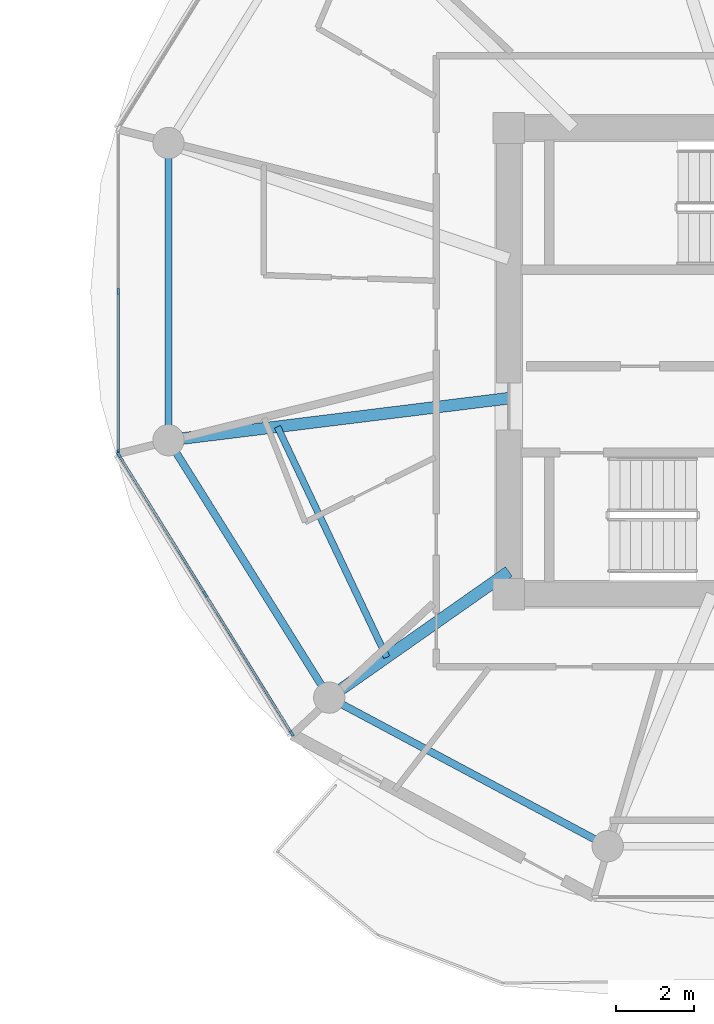
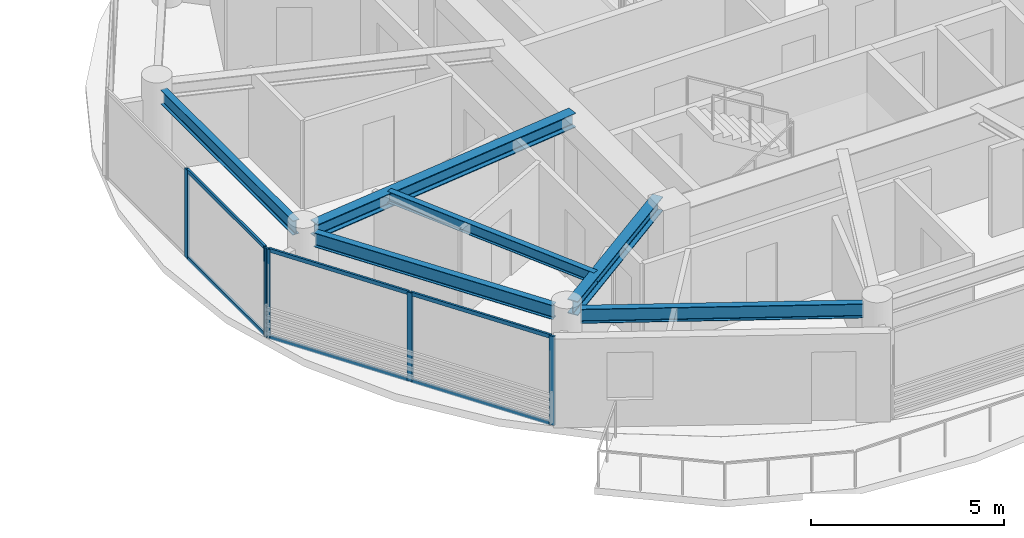
# One storey, part 6 of 24: 11 members, 6 beams, 2 elements without a shape of their own.
"""IFC4 building model written with IfcOpenShell, lengths in metres."""

from ifc_helpers import new_model, si_unit, direction, frame, origin, origin_2d, place, context, subcontext, project, spatial, rectangle, i_section, extrude, source, transform, mapped, material, layer, layer_set, material_profile, profile_set, type_object, type_shapes, element, aggregate, save


model = new_model("IFC4")

# Units and contexts
model_context = context("Model", 3, precision=1e-05, world=origin(), true_north=direction((0.0, 1.0)))
body_context = subcontext(model_context, "Body", "Model", "MODEL_VIEW")
ifc_project = project(units=[si_unit("LENGTHUNIT", "METRE"), si_unit("AREAUNIT", "SQUARE_METRE"), si_unit("VOLUMEUNIT", "CUBIC_METRE"), si_unit("PLANEANGLEUNIT", "RADIAN"), si_unit("MASSUNIT", "GRAM", prefix="KILO")], contexts=[model_context])

# Site, building, storey
site_placement = place(None, origin())
site = spatial("IfcSite", under=ifc_project, at=site_placement, CompositionType="ELEMENT")
building_placement = place(site_placement, origin())
building = spatial("IfcBuilding", under=site, at=building_placement, Name="Norrkilde Senior Care Towers", CompositionType="ELEMENT")
storey_placement = place(building_placement, frame((0.0, 0.0, 155.64990234375)))
storey = spatial("IfcBuildingStorey", under=building, at=storey_placement, Name="L48", CompositionType="ELEMENT", Elevation=155.64990234375)

# Beams
ifc_material_1 = material(Name="Steel S355", Category="steel")
ifc_material_profile_1 = material_profile(ifc_material_1, i_section(OverallWidth=0.18994140625, OverallDepth=0.449951171875, WebThickness=0.009521484375, FlangeThickness=0.0146484375, FilletRadius=0.02099609375, at=origin_2d()), Name="IPE 450")
ifc_profile_set_1 = profile_set([ifc_material_profile_1], Name="Steel S355")
beam_type_1 = type_object("IfcBeamType", Name="Perimeter Ring Spandrel Z3 IPE450", PredefinedType="SPANDREL", material=ifc_profile_set_1)
shared_shape_1 = source(origin(), body_context, "Body", "SweptSolid", [
    extrude(i_section(OverallWidth=0.18994140625, OverallDepth=0.449951171875, WebThickness=0.009521484375, FlangeThickness=0.0146484375, FilletRadius=0.02099609375, at=origin_2d()), origin(), (0.0, 0.0, 1.0), 6.86328125),
])
beam_1_placement = place(storey_placement, frame((11.6650390625, 5.20703125, 2.585205078125), z_axis=(0.0, -1.0, 0.0), x_axis=(1.0, 0.0, 0.0)))
element("IfcBeam", 1, at=beam_1_placement, inside=storey, type_object=beam_type_1, Name="L48 Drum E Perimeter Spandrel 06", PredefinedType="SPANDREL", context=body_context, shape_type="MappedRepresentation", body=[
    mapped(shared_shape_1, transform((0.0, 0.0, 0.0), x_axis=(1.0, 0.0, 0.0), y_axis=(0.0, 1.0, 0.0), z_axis=(0.0, 0.0, 1.0), scale=1.0)),
])
shared_shape_2 = source(origin(), body_context, "Body", "SweptSolid", [
    extrude(i_section(OverallWidth=0.18994140625, OverallDepth=0.449951171875, WebThickness=0.009521484375, FlangeThickness=0.0146484375, FilletRadius=0.02099609375, at=origin_2d()), origin(), (0.0, 0.0, 1.0), 7.023193359375),
])
beam_2_placement = place(storey_placement, frame((11.855712890625, -2.32177734375, 2.585205078125), z_axis=(0.529805197269, -0.848119362441, 0.0), x_axis=(0.848119362441, 0.529805197269, 0.0)))
element("IfcBeam", 2, at=beam_2_placement, inside=storey, type_object=beam_type_1, Name="L48 Drum E Perimeter Spandrel 07", PredefinedType="SPANDREL", context=body_context, shape_type="MappedRepresentation", body=[
    mapped(shared_shape_2, transform((0.0, 0.0, 0.0), x_axis=(1.0, 0.0, 0.0), y_axis=(0.0, 1.0, 0.0), z_axis=(0.0, 0.0, 1.0), scale=1.0)),
])
shared_shape_3 = source(origin(), body_context, "Body", "SweptSolid", [
    extrude(i_section(OverallWidth=0.18994140625, OverallDepth=0.449951171875, WebThickness=0.009521484375, FlangeThickness=0.0146484375, FilletRadius=0.02099609375, at=origin_2d()), origin(), (0.0, 0.0, 1.0), 7.333984375),
])
type_shapes(beam_type_1, [shared_shape_1, shared_shape_2, shared_shape_3])
beam_3_placement = place(storey_placement, frame((16.0849609375, -8.753173828125, 2.585205078125), z_axis=(0.882234038987, -0.470811109101, 0.0), x_axis=(0.470811109101, 0.882234038987, 0.0)))
element("IfcBeam", 3, at=beam_3_placement, inside=storey, type_object=beam_type_1, Name="L48 Drum E Perimeter Spandrel 08", PredefinedType="SPANDREL", context=body_context, shape_type="MappedRepresentation", body=[
    mapped(shared_shape_3, transform((0.0, 0.0, 0.0), x_axis=(1.0, 0.0, 0.0), y_axis=(0.0, 1.0, 0.0), z_axis=(0.0, 0.0, 1.0), scale=1.0)),
])
ifc_material_profile_2 = material_profile(ifc_material_1, i_section(OverallWidth=0.300048828125, OverallDepth=0.449951171875, WebThickness=0.013916015625, FlangeThickness=0.02587890625, FilletRadius=0.027099609375, at=origin_2d()), Name="HEB 450")
ifc_profile_set_2 = profile_set([ifc_material_profile_2], Name="Steel S355")
beam_type_2 = type_object("IfcBeamType", Name="Radial Floor Beam Z3 HEB450", PredefinedType="BEAM", material=ifc_profile_set_2)
shared_shape_4 = source(origin(), body_context, "Body", "SweptSolid", [
    extrude(i_section(OverallWidth=0.300048828125, OverallDepth=0.449951171875, WebThickness=0.013916015625, FlangeThickness=0.02587890625, FilletRadius=0.027099609375, at=origin_2d()), origin(), (0.0, 0.0, 1.0), 5.23828125),
])
beam_4_placement = place(storey_placement, frame((20.35009765625, -5.3681640625, 2.585205078125), z_axis=(-0.818592061291, -0.574375345215, 0.0), x_axis=(0.574375345215, -0.818592061291, 0.0)))
element("IfcBeam", 4, at=beam_4_placement, inside=storey, type_object=beam_type_2, Name="L48 Drum E Radial Floor Beam 08", PredefinedType="BEAM", context=body_context, shape_type="MappedRepresentation", body=[
    mapped(shared_shape_4, transform((0.0, 0.0, 0.0), x_axis=(1.0, 0.0, 0.0), y_axis=(0.0, 1.0, 0.0), z_axis=(0.0, 0.0, 1.0), scale=1.0)),
])
shared_shape_5 = source(origin(), body_context, "Body", "SweptSolid", [
    extrude(i_section(OverallWidth=0.300048828125, OverallDepth=0.449951171875, WebThickness=0.013916015625, FlangeThickness=0.02587890625, FilletRadius=0.027099609375, at=origin_2d()), origin(), (0.0, 0.0, 1.0), 8.390869140625),
])
type_shapes(beam_type_2, [shared_shape_4, shared_shape_5])
beam_5_placement = place(storey_placement, frame((20.35009765625, -0.9443359375, 2.585205078125), z_axis=(-0.99246916403, -0.122494728249, 0.0), x_axis=(0.122494728249, -0.99246916403, 0.0)))
element("IfcBeam", 5, at=beam_5_placement, inside=storey, type_object=beam_type_2, Name="L48 Drum E Radial Floor Beam 07", PredefinedType="BEAM", context=body_context, shape_type="MappedRepresentation", body=[
    mapped(shared_shape_5, transform((0.0, 0.0, 0.0), x_axis=(1.0, 0.0, 0.0), y_axis=(0.0, 1.0, 0.0), z_axis=(0.0, 0.0, 1.0), scale=1.0)),
])
ifc_material_profile_3 = material_profile(ifc_material_1, i_section(OverallWidth=0.169921875, OverallDepth=0.360107421875, WebThickness=0.008056640625, FlangeThickness=0.0126953125, FilletRadius=0.01806640625, at=origin_2d()), Name="IPE 360")
ifc_profile_set_3 = profile_set([ifc_material_profile_3], Name="Steel S355")
beam_type_3 = type_object("IfcBeamType", Name="Secondary Floor Joist IPE360", PredefinedType="JOIST", material=ifc_profile_set_3)
shared_shape_6 = source(origin(), body_context, "Body", "SweptSolid", [
    extrude(i_section(OverallWidth=0.169921875, OverallDepth=0.360107421875, WebThickness=0.008056640625, FlangeThickness=0.0126953125, FilletRadius=0.01806640625, at=origin_2d()), origin(), (0.0, 0.0, 1.0), 6.50927734375),
])
type_shapes(beam_type_3, [shared_shape_6])
beam_6_placement = place(storey_placement, frame((14.4443359375, -1.67333984375, 2.630126953125), z_axis=(0.428544169129, -0.90352083269, 0.0), x_axis=(0.90352083269, 0.428544169129, 0.0)))
element("IfcBeam", 6, at=beam_6_placement, inside=storey, type_object=beam_type_3, Name="L48 Drum E Secondary Floor Joist 3", PredefinedType="JOIST", context=body_context, shape_type="MappedRepresentation", body=[
    mapped(shared_shape_6, transform((0.0, 0.0, 0.0), x_axis=(1.0, 0.0, 0.0), y_axis=(0.0, 1.0, 0.0), z_axis=(0.0, 0.0, 1.0), scale=1.0)),
])

# Curtain wall, members
ifc_material_2 = material(Name="Triple Low-E Insulated Glazing", Category="glass")
ifc_layer = layer(ifc_material_2, 0.18994140625)
ifc_layer_set = layer_set([ifc_layer], Name="Triple Low-E Insulated Glazing")
curtain_wall_type = type_object("IfcCurtainWallType", Name="CW4 Zone 3 Senior Residence Curtain Wall", PredefinedType="NOTDEFINED", material=ifc_layer_set)
curtain_wall_1_placement = place(storey_placement, origin())
curtain_wall_1 = element("IfcCurtainWall", 7, at=curtain_wall_1_placement, inside=storey, type_object=curtain_wall_type, Name="L48 Drum E Curtain Wall 05", PredefinedType="NOTDEFINED")
ifc_material_3 = material(Name="Anodised Aluminium", Category="aluminium")
ifc_material_profile_4 = material_profile(ifc_material_3, rectangle(XDim=0.06494140625, YDim=0.14990234375, at=origin_2d()), Name="ALU MULL 65x150")
ifc_profile_set_4 = profile_set([ifc_material_profile_4], Name="Anodised Aluminium")
member_type_1 = type_object("IfcMemberType", Name="Curtain Wall Mullion Z3-Z4 65x150", PredefinedType="MULLION", material=ifc_profile_set_4)
shared_shape_7 = source(origin(), body_context, "Body", "SweptSolid", [
    extrude(rectangle(XDim=0.06494140625, YDim=0.14990234375, at=origin_2d()), origin(), (0.0, 0.0, 1.0), 2.81005859375),
])
type_shapes(member_type_1, [shared_shape_7])
member_1_placement = place(storey_placement, frame((10.38037109375, -2.328125, 0.0), z_axis=(0.0, 0.0, 1.0), x_axis=(-1.0, 0.0, 0.0)))
member_1 = element("IfcMember", 8, at=member_1_placement, type_object=member_type_1, Name="CW-4 mullion 1", PredefinedType="MULLION", context=body_context, shape_type="MappedRepresentation", body=[
    mapped(shared_shape_7, transform((0.0, 0.0, 0.0), x_axis=(1.0, 0.0, 0.0), y_axis=(0.0, 1.0, 0.0), z_axis=(0.0, 0.0, 1.0), scale=1.0)),
])
member_2_placement = place(storey_placement, frame((10.38037109375, 1.775390625, 0.0), z_axis=(0.0, 0.0, 1.0), x_axis=(-1.0, 0.0, 0.0)))
member_2 = element("IfcMember", 9, at=member_2_placement, type_object=member_type_1, Name="CW-4 mullion 2", PredefinedType="MULLION", context=body_context, shape_type="MappedRepresentation", body=[
    mapped(shared_shape_7, transform((0.0, 0.0, 0.0), x_axis=(1.0, 0.0, 0.0), y_axis=(0.0, 1.0, 0.0), z_axis=(0.0, 0.0, 1.0), scale=1.0)),
])

curtain_wall_2_placement = place(storey_placement, origin())
curtain_wall_2 = element("IfcCurtainWall", 10, at=curtain_wall_2_placement, inside=storey, type_object=curtain_wall_type, Name="L48 Drum E Curtain Wall 06", PredefinedType="NOTDEFINED")
member_3_placement = place(storey_placement, frame((14.809814453125, -9.49658203125, 0.0), z_axis=(0.0, 0.0, 1.0), x_axis=(-0.84963405474, -0.52737270789, 0.0)))
member_3 = element("IfcMember", 11, at=member_3_placement, type_object=member_type_1, Name="CW-4 mullion 1", PredefinedType="MULLION", context=body_context, shape_type="MappedRepresentation", body=[
    mapped(shared_shape_7, transform((0.0, 0.0, 0.0), x_axis=(1.0, 0.0, 0.0), y_axis=(0.0, 1.0, 0.0), z_axis=(0.0, 0.0, 1.0), scale=1.0)),
])
member_4_placement = place(storey_placement, frame((12.603759765625, -5.9423828125, 0.0), z_axis=(0.0, 0.0, 1.0), x_axis=(-0.84963405474, -0.52737270789, 0.0)))
member_4 = element("IfcMember", 12, at=member_4_placement, type_object=member_type_1, Name="CW-4 mullion 2", PredefinedType="MULLION", context=body_context, shape_type="MappedRepresentation", body=[
    mapped(shared_shape_7, transform((0.0, 0.0, 0.0), x_axis=(1.0, 0.0, 0.0), y_axis=(0.0, 1.0, 0.0), z_axis=(0.0, 0.0, 1.0), scale=1.0)),
])
member_5_placement = place(storey_placement, frame((10.3974609375, -2.38818359375, 0.0), z_axis=(0.0, 0.0, 1.0), x_axis=(-0.84963405474, -0.52737270789, 0.0)))
member_5 = element("IfcMember", 13, at=member_5_placement, type_object=member_type_1, Name="CW-4 mullion 3", PredefinedType="MULLION", context=body_context, shape_type="MappedRepresentation", body=[
    mapped(shared_shape_7, transform((0.0, 0.0, 0.0), x_axis=(1.0, 0.0, 0.0), y_axis=(0.0, 1.0, 0.0), z_axis=(0.0, 0.0, 1.0), scale=1.0)),
])
ifc_material_profile_5 = material_profile(ifc_material_3, rectangle(XDim=0.06005859375, YDim=0.1201171875, at=origin_2d()), Name="ALU TRAN 60x120")
ifc_profile_set_5 = profile_set([ifc_material_profile_5], Name="Anodised Aluminium")
member_type_2 = type_object("IfcMemberType", Name="Curtain Wall Transom Typical 60x120", PredefinedType="USERDEFINED", material=ifc_profile_set_5)
shared_shape_8 = source(origin(), body_context, "Body", "SweptSolid", [
    extrude(rectangle(XDim=0.06005859375, YDim=0.1201171875, at=origin_2d()), origin(), (0.0, 0.0, 1.0), 4.1181640625),
])
member_6_placement = place(storey_placement, frame((14.792724609375, -9.468994140625, 0.030029296875), z_axis=(-0.527374667286, 0.849632838528, 0.0), x_axis=(-0.849632838528, -0.527374667286, 0.0)))
member_6 = element("IfcMember", 14, at=member_6_placement, type_object=member_type_2, Name="CW-4 transom 1.1", ObjectType="TRANSOM", PredefinedType="USERDEFINED", context=body_context, shape_type="MappedRepresentation", body=[
    mapped(shared_shape_8, transform((0.0, 0.0, 0.0), x_axis=(1.0, 0.0, 0.0), y_axis=(0.0, 1.0, 0.0), z_axis=(0.0, 0.0, 1.0), scale=1.0)),
])
member_7_placement = place(storey_placement, frame((14.792724609375, -9.468994140625, 2.780029296875), z_axis=(-0.527374667286, 0.849632838528, 0.0), x_axis=(-0.849632838528, -0.527374667286, 0.0)))
member_7 = element("IfcMember", 15, at=member_7_placement, type_object=member_type_2, Name="CW-4 transom 1.2", ObjectType="TRANSOM", PredefinedType="USERDEFINED", context=body_context, shape_type="MappedRepresentation", body=[
    mapped(shared_shape_8, transform((0.0, 0.0, 0.0), x_axis=(1.0, 0.0, 0.0), y_axis=(0.0, 1.0, 0.0), z_axis=(0.0, 0.0, 1.0), scale=1.0)),
])
member_8_placement = place(storey_placement, frame((12.58642578125, -5.914794921875, 0.030029296875), z_axis=(-0.527331870867, 0.849659401153, 0.0), x_axis=(-0.849659401153, -0.527331870867, 0.0)))
member_8 = element("IfcMember", 16, at=member_8_placement, type_object=member_type_2, Name="CW-4 transom 2.1", ObjectType="TRANSOM", PredefinedType="USERDEFINED", context=body_context, shape_type="MappedRepresentation", body=[
    mapped(shared_shape_8, transform((0.0, 0.0, 0.0), x_axis=(1.0, 0.0, 0.0), y_axis=(0.0, 1.0, 0.0), z_axis=(0.0, 0.0, 1.0), scale=1.0)),
])
member_9_placement = place(storey_placement, frame((12.58642578125, -5.914794921875, 2.780029296875), z_axis=(-0.527331870867, 0.849659401153, 0.0), x_axis=(-0.849659401153, -0.527331870867, 0.0)))
member_9 = element("IfcMember", 17, at=member_9_placement, type_object=member_type_2, Name="CW-4 transom 2.2", ObjectType="TRANSOM", PredefinedType="USERDEFINED", context=body_context, shape_type="MappedRepresentation", body=[
    mapped(shared_shape_8, transform((0.0, 0.0, 0.0), x_axis=(1.0, 0.0, 0.0), y_axis=(0.0, 1.0, 0.0), z_axis=(0.0, 0.0, 1.0), scale=1.0)),
])
aggregate(curtain_wall_2, [member_3, member_4, member_5, member_6, member_7, member_8, member_9])

# Member
shared_shape_9 = source(origin(), body_context, "Body", "SweptSolid", [
    extrude(rectangle(XDim=0.06005859375, YDim=0.1201171875, at=origin_2d()), origin(), (0.0, 0.0, 1.0), 4.03857421875),
])
type_shapes(member_type_2, [shared_shape_8, shared_shape_9])
member_10_placement = place(storey_placement, frame((10.38037109375, -2.295654296875, 0.030029296875), z_axis=(0.0, 1.0, 0.0), x_axis=(-1.0, 0.0, 0.0)))
member_10 = element("IfcMember", 18, at=member_10_placement, type_object=member_type_2, Name="CW-4 transom 1.1", ObjectType="TRANSOM", PredefinedType="USERDEFINED", context=body_context, shape_type="MappedRepresentation", body=[
    mapped(shared_shape_9, transform((0.0, 0.0, 0.0), x_axis=(1.0, 0.0, 0.0), y_axis=(0.0, 1.0, 0.0), z_axis=(0.0, 0.0, 1.0), scale=1.0)),
])

member_11_placement = place(storey_placement, frame((10.38037109375, -2.295654296875, 2.780029296875), z_axis=(0.0, 1.0, 0.0), x_axis=(-1.0, 0.0, 0.0)))
member_11 = element("IfcMember", 19, at=member_11_placement, type_object=member_type_2, Name="CW-4 transom 1.2", ObjectType="TRANSOM", PredefinedType="USERDEFINED", context=body_context, shape_type="MappedRepresentation", body=[
    mapped(shared_shape_9, transform((0.0, 0.0, 0.0), x_axis=(1.0, 0.0, 0.0), y_axis=(0.0, 1.0, 0.0), z_axis=(0.0, 0.0, 1.0), scale=1.0)),
])

aggregate(curtain_wall_1, [member_1, member_2, member_10, member_11])

save(model, "model.ifc")
